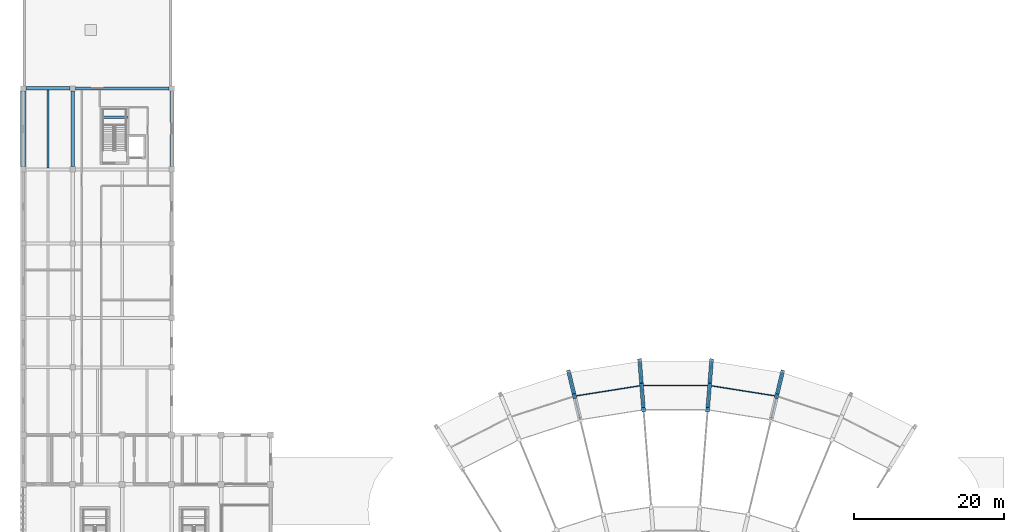
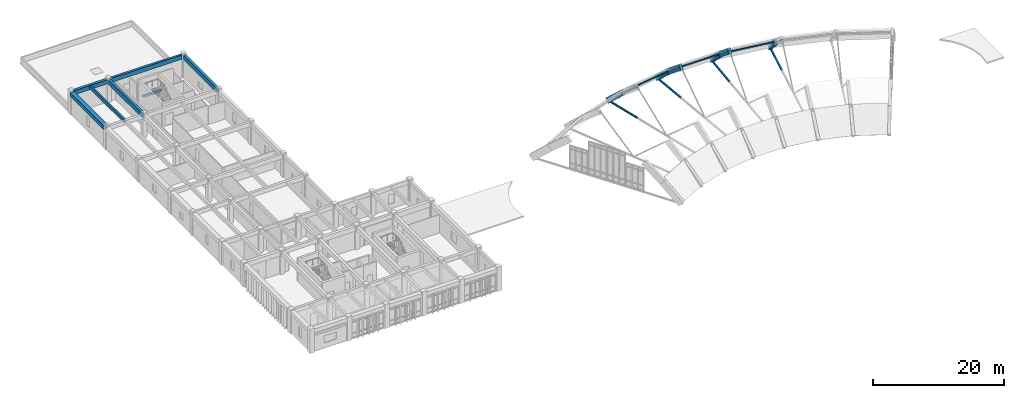
# One storey, part 14 of 34: 17 beams, 7 members.
"""IFC4 building model written with IfcOpenShell, lengths in metres."""

from ifc_helpers import new_model, si_unit, direction, frame, origin, origin_2d, place, context, subcontext, project, spatial, rectangle, hollow_rectangle, hollow_circle, extrude, material, material_profile, profile_set, type_object, element, save


model = new_model("IFC4")

# Units and contexts
model_context = context("Model", 3, precision=1e-05, world=origin(), true_north=direction((0.0, 1.0)))
body_context = subcontext(model_context, "Body", "Model", "MODEL_VIEW")
ifc_project = project(units=[si_unit("LENGTHUNIT", "METRE"), si_unit("AREAUNIT", "SQUARE_METRE"), si_unit("VOLUMEUNIT", "CUBIC_METRE"), si_unit("PLANEANGLEUNIT", "RADIAN"), si_unit("MASSUNIT", "GRAM", prefix="KILO")], contexts=[model_context])

# Site, building, storey
site_placement = place(None, origin())
site = spatial("IfcSite", under=ifc_project, at=site_placement, CompositionType="ELEMENT")
building_placement = place(site_placement, origin())
building = spatial("IfcBuilding", under=site, at=building_placement, Name="Miralva Faculty of Natural Sciences", CompositionType="ELEMENT")
storey_placement = place(building_placement, frame((0.0, 0.0, 24.0)))
storey = spatial("IfcBuildingStorey", under=building, at=storey_placement, Name="L05", CompositionType="ELEMENT", Elevation=24.0)

# Beams
ifc_material_1 = material(Name="Concrete C40/50", Category="concrete")
ifc_material_profile_1 = material_profile(ifc_material_1, rectangle(XDim=0.449951171875, YDim=0.85009765625, at=origin_2d()), Name="RC 450x850")
ifc_profile_set_1 = profile_set([ifc_material_profile_1], Name="Concrete C40/50")
beam_type_1 = type_object("IfcBeamType", Name="BM-B01", PredefinedType="BEAM", material=ifc_profile_set_1)
for number, where, z_axis, x_axis, name in (
    (1, (9.60009765625, 65.75, 3.77490234375), (0.0, 1.0, 0.0), (-1.0, 0.0, 0.0), "Girder NS L05-46"),
    (2, (22.800048828125, 65.75, 3.77490234375), (0.0, 1.0, 0.0), (-1.0, 0.0, 0.0), "Girder NS L05-57"),
):
    element("IfcBeam", number, at=place(storey_placement, frame(where, z_axis=z_axis, x_axis=x_axis)), inside=storey, type_object=beam_type_1, Name=name, PredefinedType="BEAM", context=body_context, shape_type="SweptSolid", body=[
        extrude(rectangle(XDim=0.449951171875, YDim=0.85009765625, at=origin_2d()), origin(), (0.0, 0.0, 1.0), 10.10009765625),
    ])
ifc_material_profile_2 = material_profile(ifc_material_1, rectangle(XDim=0.39990234375, YDim=0.800048828125, at=origin_2d()), Name="RC 400x800")
ifc_profile_set_2 = profile_set([ifc_material_profile_2], Name="Concrete C40/50")
beam_type_2 = type_object("IfcBeamType", Name="BM-B02", PredefinedType="BEAM", material=ifc_profile_set_2)
beam_1_placement = place(storey_placement, frame((9.949951171875, 76.199951171875, 3.800048828125), z_axis=(1.0, 0.0, 0.0), x_axis=(0.0, 1.0, 0.0)))
element("IfcBeam", 3, at=beam_1_placement, inside=storey, type_object=beam_type_2, Name="Girder EW L05-30", PredefinedType="BEAM", context=body_context, shape_type="SweptSolid", body=[
    extrude(rectangle(XDim=0.39990234375, YDim=0.800048828125, at=origin_2d()), origin(), (0.0, 0.0, 1.0), 12.5),
])
ifc_material_profile_3 = material_profile(ifc_material_1, rectangle(XDim=0.43994140625, YDim=0.780029296875, at=origin_2d()), Name="RC 440x780")
ifc_profile_set_3 = profile_set([ifc_material_profile_3], Name="Concrete C40/50")
beam_type_3 = type_object("IfcBeamType", Name="BM-BG13", PredefinedType="BEAM", material=ifc_profile_set_3)
beam_2_placement = place(storey_placement, frame((3.35009765625, 76.199951171875, 3.81005859375), z_axis=(1.0, 0.0, 0.0), x_axis=(0.0, 1.0, 0.0)))
element("IfcBeam", 4, at=beam_2_placement, inside=storey, type_object=beam_type_3, Name="Girder EW L05-29", PredefinedType="BEAM", context=body_context, shape_type="SweptSolid", body=[
    extrude(rectangle(XDim=0.43994140625, YDim=0.780029296875, at=origin_2d()), origin(), (0.0, 0.0, 1.0), 5.89990234375),
])
ifc_material_profile_4 = material_profile(ifc_material_1, rectangle(XDim=0.5, YDim=0.949951171875, at=origin_2d()), Name="RC 500x950")
ifc_profile_set_4 = profile_set([ifc_material_profile_4], Name="Concrete C40/50")
beam_type_4 = type_object("IfcBeamType", Name="BM-EB02", PredefinedType="BEAM", material=ifc_profile_set_4)
beam_3_placement = place(storey_placement, frame((76.5185546875, 35.154296875, 3.06005859375), z_axis=(-0.168935026771, 0.703624170381, -0.690198510274), x_axis=(-0.972366843262, -0.233458180677, 0.0)))
element("IfcBeam", 5, at=beam_3_placement, inside=storey, type_object=beam_type_4, Name="Visible RC shell arch edge beam EB-03 chord 8", PredefinedType="BEAM", context=body_context, shape_type="SweptSolid", body=[
    extrude(rectangle(XDim=0.5, YDim=0.949951171875, at=origin_2d()), origin(), (0.0, 0.0, 1.0), 4.49169921875),
])
beam_4_placement = place(storey_placement, frame((85.72412109375, 33.33203125, 5.68505859375), z_axis=(-0.06106862888, 0.775542367336, -0.628334830352), x_axis=(-0.99691410334, -0.078500130962, 0.0)))
element("IfcBeam", 6, at=beam_4_placement, inside=storey, type_object=beam_type_4, Name="Visible RC shell arch edge beam EB-04 chord 7", PredefinedType="BEAM", context=body_context, shape_type="SweptSolid", body=[
    extrude(rectangle(XDim=0.5, YDim=0.949951171875, at=origin_2d()), origin(), (0.0, 0.0, 1.0), 4.177734375),
])
beam_5_placement = place(storey_placement, frame((85.468994140625, 36.572021484375, 3.06005859375), z_axis=(-0.056748469072, 0.721368709821, -0.690222279957), x_axis=(-0.996919979292, -0.078425473467, 0.0)))
element("IfcBeam", 7, at=beam_5_placement, inside=storey, type_object=beam_type_4, Name="Visible RC shell arch edge beam EB-04 chord 8", PredefinedType="BEAM", context=body_context, shape_type="SweptSolid", body=[
    extrude(rectangle(XDim=0.5, YDim=0.949951171875, at=origin_2d()), origin(), (0.0, 0.0, 1.0), 4.491455078125),
])
beam_6_placement = place(storey_placement, frame((94.27587890625, 33.33203125, 5.68505859375), z_axis=(0.06106862888, 0.775542367336, -0.628334830352), x_axis=(-0.99691410334, 0.078500130962, 0.0)))
element("IfcBeam", 8, at=beam_6_placement, inside=storey, type_object=beam_type_4, Name="Visible RC shell arch edge beam EB-05 chord 7", PredefinedType="BEAM", context=body_context, shape_type="SweptSolid", body=[
    extrude(rectangle(XDim=0.5, YDim=0.949951171875, at=origin_2d()), origin(), (0.0, 0.0, 1.0), 4.177734375),
])
beam_7_placement = place(storey_placement, frame((94.531005859375, 36.572021484375, 3.06005859375), z_axis=(0.056748469072, 0.721368709821, -0.690222279957), x_axis=(-0.996919979292, 0.078425473467, 0.0)))
element("IfcBeam", 9, at=beam_7_placement, inside=storey, type_object=beam_type_4, Name="Visible RC shell arch edge beam EB-05 chord 8", PredefinedType="BEAM", context=body_context, shape_type="SweptSolid", body=[
    extrude(rectangle(XDim=0.5, YDim=0.949951171875, at=origin_2d()), origin(), (0.0, 0.0, 1.0), 4.491455078125),
])
beam_8_placement = place(storey_placement, frame((103.4814453125, 35.154296875, 3.06005859375), z_axis=(0.168935026771, 0.703624170381, -0.690198510274), x_axis=(-0.972366843262, 0.233458180677, 0.0)))
element("IfcBeam", 10, at=beam_8_placement, inside=storey, type_object=beam_type_4, Name="Visible RC shell arch edge beam EB-06 chord 8", PredefinedType="BEAM", context=body_context, shape_type="SweptSolid", body=[
    extrude(rectangle(XDim=0.5, YDim=0.949951171875, at=origin_2d()), origin(), (0.0, 0.0, 1.0), 4.49169921875),
])
ifc_material_2 = material(Name="Steel S355", Category="steel")
ifc_material_profile_5 = material_profile(ifc_material_2, hollow_rectangle(XDim=0.25, YDim=0.25, WallThickness=0.011962890625, at=origin_2d()), Name="HSS 250x250x12")
ifc_profile_set_5 = profile_set([ifc_material_profile_5], Name="Steel S355")
beam_type_5 = type_object("IfcBeamType", Name="BM-EBTIE", PredefinedType="BEAM", material=ifc_profile_set_5)
beam_9_placement = place(storey_placement, frame((77.277099609375, 31.994140625, -0.0400390625), z_axis=(-0.233431194578, 0.972373322031, 0.0), x_axis=(-0.972373322031, -0.233431194578, 0.0)))
element("IfcBeam", 11, at=beam_9_placement, inside=storey, type_object=beam_type_5, Name="Shell arch tie chord 03-4", PredefinedType="BEAM", context=body_context, shape_type="SweptSolid", body=[
    extrude(hollow_rectangle(XDim=0.25, YDim=0.25, WallThickness=0.011962890625, at=origin_2d()), origin(), (0.0, 0.0, 1.0), 6.500244140625),
])
for number, where, z_axis, x_axis, name in (
    (12, (85.72412109375, 33.33203125, -0.0400390625), (-0.078462802379, 0.996917042006, 0.0), (-0.996917042006, -0.078462802379, 0.0), "Shell arch tie chord 04-4"),
    (13, (94.27587890625, 33.33203125, -0.0400390625), (0.078462802379, 0.996917042006, 0.0), (-0.996917042006, 0.078462802379, 0.0), "Shell arch tie chord 05-4"),
):
    element("IfcBeam", number, at=place(storey_placement, frame(where, z_axis=z_axis, x_axis=x_axis)), inside=storey, type_object=beam_type_5, Name=name, PredefinedType="BEAM", context=body_context, shape_type="SweptSolid", body=[
        extrude(hollow_rectangle(XDim=0.25, YDim=0.25, WallThickness=0.011962890625, at=origin_2d()), origin(), (0.0, 0.0, 1.0), 6.5),
    ])
beam_10_placement = place(storey_placement, frame((102.722900390625, 31.994140625, -0.0400390625), z_axis=(0.233431194578, 0.972373322031, 0.0), x_axis=(-0.972373322031, 0.233431194578, 0.0)))
element("IfcBeam", 14, at=beam_10_placement, inside=storey, type_object=beam_type_5, Name="Shell arch tie chord 06-4", PredefinedType="BEAM", context=body_context, shape_type="SweptSolid", body=[
    extrude(hollow_rectangle(XDim=0.25, YDim=0.25, WallThickness=0.011962890625, at=origin_2d()), origin(), (0.0, 0.0, 1.0), 6.500244140625),
])
ifc_material_profile_6 = material_profile(ifc_material_1, rectangle(XDim=0.300048828125, YDim=0.60009765625, at=origin_2d()), Name="RC 300x600")
ifc_profile_set_6 = profile_set([ifc_material_profile_6], Name="Concrete C40/50")
beam_type_6 = type_object("IfcBeamType", Name="BM-J01", PredefinedType="JOIST", material=ifc_profile_set_6)
beam_11_placement = place(storey_placement, frame((6.300048828125, 65.610107421875, 3.89990234375), z_axis=(0.0, 1.0, 0.0), x_axis=(-1.0, 0.0, 0.0)))
element("IfcBeam", 15, at=beam_11_placement, inside=storey, type_object=beam_type_6, Name="Floor joist L05-20", PredefinedType="JOIST", context=body_context, shape_type="SweptSolid", body=[
    extrude(rectangle(XDim=0.300048828125, YDim=0.60009765625, at=origin_2d()), origin(), (0.0, 0.0, 1.0), 10.369873046875),
])
ifc_material_profile_7 = material_profile(ifc_material_1, rectangle(XDim=0.300048828125, YDim=0.3798828125, at=origin_2d()), Name="RC 300x380")
ifc_profile_set_7 = profile_set([ifc_material_profile_7], Name="Concrete C40/50")
beam_type_7 = type_object("IfcBeamType", Name="BM-LND01", PredefinedType="BEAM", material=ifc_profile_set_7)
beam_12_placement = place(storey_placement, frame((13.425048828125, 72.35498046875, 1.8701171875), z_axis=(1.0, 0.0, 0.0), x_axis=(0.0, 1.0, 0.0)))
element("IfcBeam", 16, at=beam_12_placement, inside=storey, type_object=beam_type_7, Name="Stair Core C2 half-landing support beam L05", PredefinedType="BEAM", context=body_context, shape_type="SweptSolid", body=[
    extrude(rectangle(XDim=0.300048828125, YDim=0.3798828125, at=origin_2d()), origin(), (0.0, 0.0, 1.0), 3.5),
])
ifc_material_profile_8 = material_profile(ifc_material_1, rectangle(XDim=0.75, YDim=0.699951171875, at=origin_2d()), Name="RC 750x700")
ifc_profile_set_8 = profile_set([ifc_material_profile_8], Name="Concrete C40/50")
beam_type_8 = type_object("IfcBeamType", Name="BM-SP01", PredefinedType="SPANDREL", material=ifc_profile_set_8)
beam_13_placement = place(storey_placement, frame((3.0, 65.75, 3.85009765625), z_axis=(0.0, 1.0, 0.0), x_axis=(-1.0, 0.0, 0.0)))
element("IfcBeam", 17, at=beam_13_placement, inside=storey, type_object=beam_type_8, Name="Girder NS L05-38", PredefinedType="SPANDREL", context=body_context, shape_type="SweptSolid", body=[
    extrude(rectangle(XDim=0.75, YDim=0.699951171875, at=origin_2d()), origin(), (0.0, 0.0, 1.0), 10.10009765625),
])

# Members
ifc_material_profile_9 = material_profile(ifc_material_2, hollow_rectangle(XDim=0.14990234375, YDim=0.25, WallThickness=0.010009765625, InnerFilletRadius=0.010009765625, OuterFilletRadius=0.02001953125, at=origin_2d()), Name="HSS 250x150x10")
ifc_profile_set_9 = profile_set([ifc_material_profile_9], Name="Steel S355")
member_type_1 = type_object("IfcMemberType", Name="MEM-PU01", PredefinedType="PURLIN", material=ifc_profile_set_9)
for number, where, z_axis, x_axis, name in (
    (18, (76.5185546875, 35.154296875, 3.094970703125), (0.987686392272, 0.156446765771, 0.0), (-0.156446765771, 0.987686392272, 0.0), "Shell longitudinal purlin B3-K7"),
    (19, (85.468994140625, 36.572021484375, 3.094970703125), (1.0, 0.0, 0.0), (0.0, 1.0, 0.0), "Shell longitudinal purlin B4-K7"),
    (20, (94.531005859375, 36.572021484375, 3.094970703125), (0.987686392272, -0.156446765771, 0.0), (0.156446765771, 0.987686392272, 0.0), "Shell longitudinal purlin B5-K7"),
):
    element("IfcMember", number, at=place(storey_placement, frame(where, z_axis=z_axis, x_axis=x_axis)), inside=storey, type_object=member_type_1, Name=name, PredefinedType="PURLIN", context=body_context, shape_type="SweptSolid", body=[
        extrude(hollow_rectangle(XDim=0.14990234375, YDim=0.25, WallThickness=0.010009765625, InnerFilletRadius=0.010009765625, OuterFilletRadius=0.02001953125, at=origin_2d()), origin(), (0.0, 0.0, 1.0), 9.06201171875),
    ])
ifc_material_profile_10 = material_profile(ifc_material_2, hollow_circle(Radius=0.109619140625, WallThickness=0.010009765625, at=origin_2d()), Name="CHS 219.1x10")
ifc_profile_set_10 = profile_set([ifc_material_profile_10], Name="Steel S355")
member_type_2 = type_object("IfcMemberType", Name="MEM-ST01", PredefinedType="STRUT", material=ifc_profile_set_10)
for number, where, z_axis, x_axis, name in (
    (21, (77.277099609375, 31.994140625, 5.68505859375), (-0.175173378288, 0.729696474737, -0.660951845671), (-0.972373322031, -0.233431194578, 0.0), "Shell arch web diagonal 03-4"),
    (22, (85.72412109375, 33.33203125, 5.68505859375), (-0.058880257598, 0.748109046034, -0.660958372749), (-0.996917042006, -0.078462802379, 0.0), "Shell arch web diagonal 04-4"),
    (23, (94.27587890625, 33.33203125, 5.68505859375), (0.058880257598, 0.748109046034, -0.660958372749), (-0.996917042006, 0.078462802379, 0.0), "Shell arch web diagonal 05-4"),
    (24, (102.722900390625, 31.994140625, 5.68505859375), (0.175173378288, 0.729696474737, -0.660951845671), (-0.972373322031, 0.233431194578, 0.0), "Shell arch web diagonal 06-4"),
):
    element("IfcMember", number, at=place(storey_placement, frame(where, z_axis=z_axis, x_axis=x_axis)), inside=storey, type_object=member_type_2, Name=name, PredefinedType="STRUT", context=body_context, shape_type="SweptSolid", body=[
        extrude(hollow_circle(Radius=0.109619140625, WallThickness=0.010009765625, at=origin_2d()), origin(), (0.0, 0.0, 1.0), 8.661865234375),
    ])

save(model, "model.ifc")
